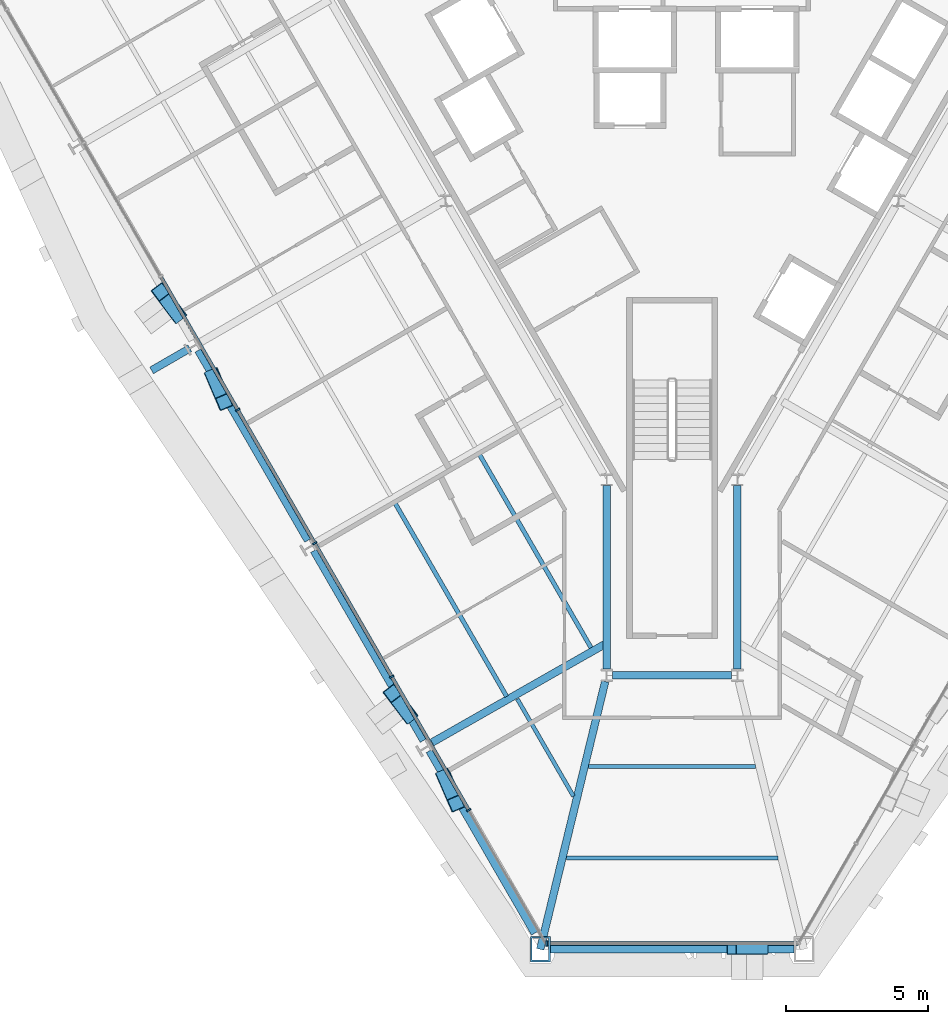
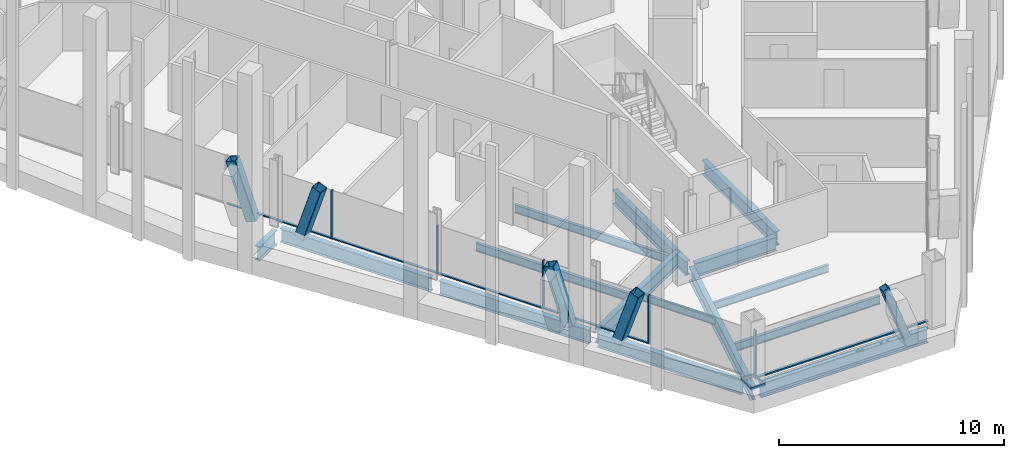
# One storey, part 3 of 19: 16 members, 15 beams, 2 elements without a shape of their own.
"""IFC4 building model written with IfcOpenShell, lengths in metres."""

from ifc_helpers import new_model, si_unit, direction, frame, origin, origin_2d, place, context, subcontext, project, spatial, rectangle, hollow_rectangle, i_section, extrude, material, material_profile, profile_set, type_object, element, aggregate, save


model = new_model("IFC4")

# Units and contexts
model_context = context("Model", 3, precision=1e-05, world=origin(), true_north=direction((0.0, 1.0)))
body_context = subcontext(model_context, "Body", "Model", "MODEL_VIEW")
ifc_project = project(units=[si_unit("LENGTHUNIT", "METRE"), si_unit("AREAUNIT", "SQUARE_METRE"), si_unit("VOLUMEUNIT", "CUBIC_METRE"), si_unit("PLANEANGLEUNIT", "RADIAN"), si_unit("MASSUNIT", "GRAM", prefix="KILO")], contexts=[model_context])

# Site, building, storey
site_placement = place(None, origin())
site = spatial("IfcSite", under=ifc_project, at=site_placement, CompositionType="ELEMENT")
building_placement = place(site_placement, origin())
building = spatial("IfcBuilding", under=site, at=building_placement, Name="Verrane Prism Tower", CompositionType="ELEMENT")
storey_placement = place(building_placement, frame((0.0, 0.0, 121.60009765625)))
storey = spatial("IfcBuildingStorey", under=building, at=storey_placement, Name="L29", CompositionType="ELEMENT", Elevation=121.60009765625)

# Member
ifc_material_1 = material(Name="Steel A500 Grade C", Category="steel")
ifc_material_profile_1 = material_profile(ifc_material_1, hollow_rectangle(XDim=0.355712890625, YDim=0.355712890625, WallThickness=0.0126953125, InnerFilletRadius=0.00634765625, OuterFilletRadius=0.01904296875, at=origin_2d()), Name="HSS14x14x1/2")
ifc_profile_set_1 = profile_set([ifc_material_profile_1], Name="Steel A500 Grade C")
member_type_1 = type_object("IfcMemberType", Name="Chamfer brace HSS14x14x1/2", PredefinedType="BRACE", material=ifc_profile_set_1)
member_1_placement = place(storey_placement, frame((3.204345703125, -30.93994140625, -0.2451171875), z_axis=(-0.345599293195, 0.0, 0.938382186821), x_axis=(0.0, -1.0, 0.0)))
element("IfcMember", 1, at=member_1_placement, inside=storey, type_object=member_type_1, Name="Chamfer brace S0 L29", PredefinedType="BRACE", context=body_context, shape_type="SweptSolid", body=[
    extrude(hollow_rectangle(XDim=0.355712890625, YDim=0.355712890625, WallThickness=0.0126953125, InnerFilletRadius=0.00634765625, OuterFilletRadius=0.01904296875, at=origin_2d()), origin(), (0.0, 0.0, 1.0), 3.2001953125),
])

# Beams
ifc_material_2 = material(Name="Steel A992", Category="steel")
ifc_material_profile_2 = material_profile(ifc_material_2, i_section(OverallWidth=0.2666015625, OverallDepth=0.76708984375, WebThickness=0.014892578125, FlangeThickness=0.023681640625, FilletRadius=0.0166015625, at=origin_2d()), Name="W30x124")
ifc_profile_set_2 = profile_set([ifc_material_profile_2], Name="Steel A992")
beam_type_1 = type_object("IfcBeamType", Name="Chamfer spandrel beam W30x124", PredefinedType="SPANDREL", material=ifc_profile_set_2)
beam_1_placement = place(storey_placement, frame((-4.2900390625, -30.93994140625, -0.543701171875), z_axis=(1.0, 0.0, 0.0), x_axis=(0.0, 1.0, 0.0)))
element("IfcBeam", 2, at=beam_1_placement, inside=storey, type_object=beam_type_1, Name="Chamfer spandrel beam L29", PredefinedType="SPANDREL", context=body_context, shape_type="SweptSolid", body=[
    extrude(i_section(OverallWidth=0.2666015625, OverallDepth=0.76708984375, WebThickness=0.014892578125, FlangeThickness=0.023681640625, FilletRadius=0.0166015625, at=origin_2d()), origin(), (0.0, 0.0, 1.0), 8.580078125),
])
ifc_material_3 = material(Name="Steel A992", Category="steel")
ifc_material_profile_3 = material_profile(ifc_material_3, i_section(OverallWidth=0.2666015625, OverallDepth=0.7568359375, WebThickness=0.013916015625, FlangeThickness=0.019287109375, FilletRadius=0.0166015625, at=origin_2d()), Name="W30x108")
ifc_profile_set_3 = profile_set([ifc_material_profile_3], Name="Steel A992")
beam_type_2 = type_object("IfcBeamType", Name="Core ring girder W30x108", PredefinedType="BEAM", material=ifc_profile_set_3)
beam_2_placement = place(storey_placement, frame((-2.300048828125, -14.619384765625, -0.628662109375), z_axis=(0.0, -1.0, 0.0), x_axis=(1.0, 0.0, 0.0)))
element("IfcBeam", 3, at=beam_2_placement, inside=storey, type_object=beam_type_2, Name="Core ring girder L29", PredefinedType="BEAM", context=body_context, shape_type="SweptSolid", body=[
    extrude(i_section(OverallWidth=0.2666015625, OverallDepth=0.7568359375, WebThickness=0.013916015625, FlangeThickness=0.019287109375, FilletRadius=0.0166015625, at=origin_2d()), origin(), (0.0, 0.0, 1.0), 6.46337890625),
])
beam_3_placement = place(storey_placement, frame((-2.09423828125, -21.300048828125, -0.628662109375), z_axis=(1.0, 0.0, 0.0), x_axis=(0.0, 1.0, 0.0)))
element("IfcBeam", 4, at=beam_3_placement, inside=storey, type_object=beam_type_2, Name="Core ring girder L29", PredefinedType="BEAM", context=body_context, shape_type="SweptSolid", body=[
    extrude(i_section(OverallWidth=0.2666015625, OverallDepth=0.7568359375, WebThickness=0.013916015625, FlangeThickness=0.019287109375, FilletRadius=0.0166015625, at=origin_2d()), origin(), (0.0, 0.0, 1.0), 4.1884765625),
])
beam_4_placement = place(storey_placement, frame((2.300048828125, -21.082763671875, -0.628662109375), z_axis=(0.0, 1.0, 0.0), x_axis=(-1.0, 0.0, 0.0)))
element("IfcBeam", 5, at=beam_4_placement, inside=storey, type_object=beam_type_2, Name="Core ring girder L29", PredefinedType="BEAM", context=body_context, shape_type="SweptSolid", body=[
    extrude(i_section(OverallWidth=0.2666015625, OverallDepth=0.7568359375, WebThickness=0.013916015625, FlangeThickness=0.019287109375, FilletRadius=0.0166015625, at=origin_2d()), origin(), (0.0, 0.0, 1.0), 6.46337890625),
])
ifc_material_4 = material(Name="Steel A992", Category="steel")
ifc_material_profile_4 = material_profile(ifc_material_4, i_section(OverallWidth=0.2666015625, OverallDepth=0.76708984375, WebThickness=0.014892578125, FlangeThickness=0.023681640625, FilletRadius=0.0166015625, at=origin_2d()), Name="W30x124")
ifc_profile_set_4 = profile_set([ifc_material_profile_4], Name="Steel A992")
beam_type_3 = type_object("IfcBeamType", Name="Corner girder W30x124", PredefinedType="BEAM", material=ifc_profile_set_4)
beam_5_placement = place(storey_placement, frame((-4.639404296875, -30.93798828125, -0.603515625), z_axis=(0.235869588092, 0.971784717627, 0.0), x_axis=(-0.971784717627, 0.235869588092, 0.0)))
element("IfcBeam", 6, at=beam_5_placement, inside=storey, type_object=beam_type_3, Name="Corner girder L29", PredefinedType="BEAM", context=body_context, shape_type="SweptSolid", body=[
    extrude(i_section(OverallWidth=0.2666015625, OverallDepth=0.76708984375, WebThickness=0.014892578125, FlangeThickness=0.023681640625, FilletRadius=0.0166015625, at=origin_2d()), origin(), (0.0, 0.0, 1.0), 9.6943359375),
])

# Members
ifc_material_5 = material(Name="Steel A1085 Grade A", Category="steel")
ifc_material_profile_5 = material_profile(ifc_material_5, hollow_rectangle(XDim=0.508056640625, YDim=0.508056640625, WallThickness=0.025390625, InnerFilletRadius=0.0126953125, OuterFilletRadius=0.0380859375, at=origin_2d()), Name="HSS20x20x1")
ifc_profile_set_5 = profile_set([ifc_material_profile_5], Name="Steel A1085 Grade A")
member_type_2 = type_object("IfcMemberType", Name="Facade brace HSS20x20x1", PredefinedType="BRACE", material=ifc_profile_set_5)
member_2_placement = place(storey_placement, frame((-17.406005859375, -8.591796875, -0.24267578125), z_axis=(-0.186990741959, 0.248318151141, 0.950459130229), x_axis=(-0.798837097845, -0.601547413848, 0.0)))
element("IfcMember", 7, at=member_2_placement, inside=storey, type_object=member_type_2, Name="Facade brace SW2 L29", PredefinedType="BRACE", context=body_context, shape_type="SweptSolid", body=[
    extrude(hollow_rectangle(XDim=0.508056640625, YDim=0.508056640625, WallThickness=0.025390625, InnerFilletRadius=0.0126953125, OuterFilletRadius=0.0380859375, at=origin_2d()), origin(), (0.0, 0.0, 1.0), 3.164794921875),
])
member_3_placement = place(storey_placement, frame((-16.1474609375, -10.77099609375, -0.24267578125), z_axis=(0.121723165079, -0.28618057189, 0.950412621631), x_axis=(0.920219270663, 0.391403236956, 0.0)))
element("IfcMember", 8, at=member_3_placement, inside=storey, type_object=member_type_2, Name="Facade brace SW3 L29", PredefinedType="BRACE", context=body_context, shape_type="SweptSolid", body=[
    extrude(hollow_rectangle(XDim=0.508056640625, YDim=0.508056640625, WallThickness=0.025390625, InnerFilletRadius=0.0126953125, OuterFilletRadius=0.0380859375, at=origin_2d()), origin(), (0.0, 0.0, 1.0), 3.1650390625),
])
member_4_placement = place(storey_placement, frame((-9.267578125, -22.685791015625, -0.24267578125), z_axis=(-0.181411235716, 0.238784571467, 0.953976882312), x_axis=(-0.796266663934, -0.604945782619, 0.0)))
element("IfcMember", 9, at=member_4_placement, inside=storey, type_object=member_type_2, Name="Facade brace SW4 L29", PredefinedType="BRACE", context=body_context, shape_type="SweptSolid", body=[
    extrude(hollow_rectangle(XDim=0.508056640625, YDim=0.508056640625, WallThickness=0.025390625, InnerFilletRadius=0.0126953125, OuterFilletRadius=0.0380859375, at=origin_2d()), origin(), (0.0, 0.0, 1.0), 3.153076171875),
])
member_5_placement = place(storey_placement, frame((-8.00927734375, -24.865234375, -0.24267578125), z_axis=(0.127491735724, -0.295328957437, 0.946850919745), x_axis=(0.918103847095, 0.396339912134, 0.0)))
element("IfcMember", 10, at=member_5_placement, inside=storey, type_object=member_type_2, Name="Facade brace SW5 L29", PredefinedType="BRACE", context=body_context, shape_type="SweptSolid", body=[
    extrude(hollow_rectangle(XDim=0.508056640625, YDim=0.508056640625, WallThickness=0.025390625, InnerFilletRadius=0.0126953125, OuterFilletRadius=0.0380859375, at=origin_2d()), origin(), (0.0, 0.0, 1.0), 3.177001953125),
])

# Beams
ifc_material_6 = material(Name="Steel A992", Category="steel")
ifc_material_profile_6 = material_profile(ifc_material_6, i_section(OverallWidth=0.140380859375, OverallDepth=0.40380859375, WebThickness=0.007080078125, FlangeThickness=0.01123046875, FilletRadius=0.01025390625, at=origin_2d()), Name="W16x31")
ifc_profile_set_6 = profile_set([ifc_material_profile_6], Name="Steel A992")
beam_type_4 = type_object("IfcBeamType", Name="Floor beam W16x31", PredefinedType="BEAM", material=ifc_profile_set_6)
beam_6_placement = place(storey_placement, frame((-3.46923828125, -25.55126953125, -0.362060546875), z_axis=(-0.499995367196, 0.866028078518, 0.0), x_axis=(-0.866028078518, -0.499995367196, 0.0)))
element("IfcBeam", 11, at=beam_6_placement, inside=storey, type_object=beam_type_4, Name="Floor beam L29", PredefinedType="BEAM", context=body_context, shape_type="SweptSolid", body=[
    extrude(i_section(OverallWidth=0.140380859375, OverallDepth=0.40380859375, WebThickness=0.007080078125, FlangeThickness=0.01123046875, FilletRadius=0.01025390625, at=origin_2d()), origin(), (0.0, 0.0, 1.0), 3.94921875),
])
beam_7_placement = place(storey_placement, frame((-2.942626953125, -24.51318359375, -0.362060546875), z_axis=(1.0, 0.0, 0.0), x_axis=(0.0, 1.0, 0.0)))
element("IfcBeam", 12, at=beam_7_placement, inside=storey, type_object=beam_type_4, Name="Floor beam L29", PredefinedType="BEAM", context=body_context, shape_type="SweptSolid", body=[
    extrude(i_section(OverallWidth=0.140380859375, OverallDepth=0.40380859375, WebThickness=0.007080078125, FlangeThickness=0.01123046875, FilletRadius=0.01025390625, at=origin_2d()), origin(), (0.0, 0.0, 1.0), 5.88525390625),
])
ifc_material_7 = material(Name="Steel A992", Category="steel")
ifc_material_profile_7 = material_profile(ifc_material_7, i_section(OverallWidth=0.15234375, OverallDepth=0.449462890625, WebThickness=0.007568359375, FlangeThickness=0.0107421875, FilletRadius=0.01025390625, at=origin_2d()), Name="W18x35")
ifc_profile_set_7 = profile_set([ifc_material_profile_7], Name="Steel A992")
beam_type_5 = type_object("IfcBeamType", Name="Floor beam W18x35", PredefinedType="BEAM", material=ifc_profile_set_7)
beam_8_placement = place(storey_placement, frame((-2.85107421875, -20.32421875, -0.385009765625), z_axis=(-0.499996836462, 0.866027230246, 0.0), x_axis=(-0.866027230246, -0.499996836462, 0.0)))
element("IfcBeam", 13, at=beam_8_placement, inside=storey, type_object=beam_type_5, Name="Floor beam L29", PredefinedType="BEAM", context=body_context, shape_type="SweptSolid", body=[
    extrude(i_section(OverallWidth=0.15234375, OverallDepth=0.449462890625, WebThickness=0.007568359375, FlangeThickness=0.0107421875, FilletRadius=0.01025390625, at=origin_2d()), origin(), (0.0, 0.0, 1.0), 7.8818359375),
])
beam_9_placement = place(storey_placement, frame((-5.8203125, -22.040283203125, -0.385009765625), z_axis=(-0.500002097505, 0.866024192786, 0.0), x_axis=(-0.866024192786, -0.500002097505, 0.0)))
element("IfcBeam", 14, at=beam_9_placement, inside=storey, type_object=beam_type_5, Name="Floor beam L29", PredefinedType="BEAM", context=body_context, shape_type="SweptSolid", body=[
    extrude(i_section(OverallWidth=0.15234375, OverallDepth=0.449462890625, WebThickness=0.007568359375, FlangeThickness=0.0107421875, FilletRadius=0.01025390625, at=origin_2d()), origin(), (0.0, 0.0, 1.0), 7.884765625),
])
beam_10_placement = place(storey_placement, frame((-3.72265625, -27.726806640625, -0.385009765625), z_axis=(1.0, 0.0, 0.0), x_axis=(0.0, 1.0, 0.0)))
element("IfcBeam", 15, at=beam_10_placement, inside=storey, type_object=beam_type_5, Name="Floor beam L29", PredefinedType="BEAM", context=body_context, shape_type="SweptSolid", body=[
    extrude(i_section(OverallWidth=0.15234375, OverallDepth=0.449462890625, WebThickness=0.007568359375, FlangeThickness=0.0107421875, FilletRadius=0.01025390625, at=origin_2d()), origin(), (0.0, 0.0, 1.0), 7.4453125),
])

# Member
ifc_material_8 = material(Name="Steel A572 Grade 50", Category="steel")
ifc_material_profile_8 = material_profile(ifc_material_8, hollow_rectangle(XDim=0.699951171875, YDim=0.89990234375, WallThickness=0.06494140625, at=origin_2d()), Name="BOX 900x700x65")
ifc_profile_set_8 = profile_set([ifc_material_profile_8], Name="Steel A572 Grade 50")
member_type_3 = type_object("IfcMemberType", Name="Kink node BOX 900x700x65", PredefinedType="COLLAR", material=ifc_profile_set_8)
member_6_placement = place(storey_placement, frame((-4.6357421875, -30.9326171875, -0.0751953125), z_axis=(0.0, 0.0, 1.0), x_axis=(-1.0, 0.0, 0.0)))
element("IfcMember", 16, at=member_6_placement, inside=storey, type_object=member_type_3, Name="Kink node MC3 L29", PredefinedType="COLLAR", context=body_context, shape_type="SweptSolid", body=[
    extrude(hollow_rectangle(XDim=0.699951171875, YDim=0.89990234375, WallThickness=0.06494140625, at=origin_2d()), origin(), (0.0, 0.0, 1.0), 0.150146484375),
])

# Curtain wall, members
ifc_material_9 = material(Name="Aluminium framed insulated glazing", Category="aluminium")
curtain_wall_type_1 = type_object("IfcCurtainWallType", Name="Curtain wall CW-B 5600 module", PredefinedType="NOTDEFINED", material=ifc_material_9)
curtain_wall_1_placement = place(storey_placement, origin())
curtain_wall_1 = element("IfcCurtainWall", 17, at=curtain_wall_1_placement, inside=storey, type_object=curtain_wall_type_1, Name="Glazed curtain wall south-west face L29", PredefinedType="NOTDEFINED")
ifc_material_10 = material(Name="Aluminium alloy 6063-T6", Category="aluminium")
ifc_material_profile_9 = material_profile(ifc_material_10, rectangle(XDim=0.159912109375, YDim=0.06005859375, at=origin_2d()), Name="Mullion 60x160 aluminium")
ifc_profile_set_9 = profile_set([ifc_material_profile_9], Name="Aluminium alloy 6063-T6")
member_type_4 = type_object("IfcMemberType", Name="Mullion 60x160 aluminium", PredefinedType="MULLION", material=ifc_profile_set_9)
member_7_placement = place(storey_placement, frame((-15.28173828125, -11.953369140625, 0.0), z_axis=(0.0, 0.0, 1.0), x_axis=(0.866025327793, 0.500000131621, 0.0)))
member_7 = element("IfcMember", 18, at=member_7_placement, type_object=member_type_4, Name="CW29.4 mullion 6", PredefinedType="MULLION", context=body_context, shape_type="SweptSolid", body=[
    extrude(rectangle(XDim=0.159912109375, YDim=0.06005859375, at=origin_2d()), origin(), (0.0, 0.0, 1.0), 2.61279296875),
])
member_8_placement = place(storey_placement, frame((-12.57080078125, -16.648681640625, 0.0), z_axis=(0.0, 0.0, 1.0), x_axis=(0.866025327793, 0.500000131621, 0.0)))
member_8 = element("IfcMember", 19, at=member_8_placement, type_object=member_type_4, Name="CW29.4 mullion 7", PredefinedType="MULLION", context=body_context, shape_type="SweptSolid", body=[
    extrude(rectangle(XDim=0.159912109375, YDim=0.06005859375, at=origin_2d()), origin(), (0.0, 0.0, 1.0), 2.61279296875),
])
member_9_placement = place(storey_placement, frame((-9.85986328125, -21.34423828125, 0.0), z_axis=(0.0, 0.0, 1.0), x_axis=(0.866025327793, 0.500000131621, 0.0)))
member_9 = element("IfcMember", 20, at=member_9_placement, type_object=member_type_4, Name="CW29.4 mullion 8", PredefinedType="MULLION", context=body_context, shape_type="SweptSolid", body=[
    extrude(rectangle(XDim=0.159912109375, YDim=0.06005859375, at=origin_2d()), origin(), (0.0, 0.0, 1.0), 2.61279296875),
])
member_10_placement = place(storey_placement, frame((-7.14892578125, -26.039794921875, 0.0), z_axis=(0.0, 0.0, 1.0), x_axis=(0.866025327793, 0.500000131621, 0.0)))
member_10 = element("IfcMember", 21, at=member_10_placement, type_object=member_type_4, Name="CW29.4 mullion 9", PredefinedType="MULLION", context=body_context, shape_type="SweptSolid", body=[
    extrude(rectangle(XDim=0.159912109375, YDim=0.06005859375, at=origin_2d()), origin(), (0.0, 0.0, 1.0), 2.61279296875),
])

# Curtain wall, member
ifc_material_11 = material(Name="Aluminium framed insulated glazing", Category="aluminium")
curtain_wall_type_2 = type_object("IfcCurtainWallType", Name="Curtain wall CW-A 8400 module", PredefinedType="NOTDEFINED", material=ifc_material_11)
curtain_wall_2_placement = place(storey_placement, origin())
curtain_wall_2 = element("IfcCurtainWall", 22, at=curtain_wall_2_placement, inside=storey, type_object=curtain_wall_type_2, Name="Glazed curtain wall south corner L29", PredefinedType="NOTDEFINED")
ifc_material_12 = material(Name="Aluminium alloy 6063-T6", Category="aluminium")
ifc_material_profile_10 = material_profile(ifc_material_12, rectangle(XDim=0.199951171875, YDim=0.070068359375, at=origin_2d()), Name="Mullion 70x200 aluminium")
ifc_profile_set_10 = profile_set([ifc_material_profile_10], Name="Aluminium alloy 6063-T6")
member_type_5 = type_object("IfcMemberType", Name="Mullion 70x200 aluminium", PredefinedType="MULLION", material=ifc_profile_set_10)
member_11_placement = place(storey_placement, frame((-4.40283203125, -30.7353515625, 0.0), z_axis=(0.0, 0.0, 1.0), x_axis=(0.0, 1.0, 0.0)))
member_11 = element("IfcMember", 23, at=member_11_placement, type_object=member_type_5, Name="CW29.5 mullion 1", PredefinedType="MULLION", context=body_context, shape_type="SweptSolid", body=[
    extrude(rectangle(XDim=0.199951171875, YDim=0.070068359375, at=origin_2d()), origin(), (0.0, 0.0, 1.0), 2.61279296875),
])

# Beams
ifc_material_13 = material(Name="Steel A992", Category="steel")
ifc_material_profile_11 = material_profile(ifc_material_13, i_section(OverallWidth=0.2666015625, OverallDepth=0.76708984375, WebThickness=0.014892578125, FlangeThickness=0.023681640625, FilletRadius=0.0166015625, at=origin_2d()), Name="W30x124")
ifc_profile_set_11 = profile_set([ifc_material_profile_11], Name="Steel A992")
beam_type_6 = type_object("IfcBeamType", Name="Radial girder W30x124", PredefinedType="BEAM", material=ifc_profile_set_11)
beam_11_placement = place(storey_placement, frame((-8.44287109375, -23.6591796875, -0.603515625), z_axis=(0.869115447112, 0.494609279726, 0.0), x_axis=(-0.494609279726, 0.869115447112, 0.0)))
element("IfcBeam", 24, at=beam_11_placement, inside=storey, type_object=beam_type_6, Name="Radial girder L29", PredefinedType="BEAM", context=body_context, shape_type="SweptSolid", body=[
    extrude(i_section(OverallWidth=0.2666015625, OverallDepth=0.76708984375, WebThickness=0.014892578125, FlangeThickness=0.023681640625, FilletRadius=0.0166015625, at=origin_2d()), origin(), (0.0, 0.0, 1.0), 7.06787109375),
])
beam_12_placement = place(storey_placement, frame((-16.97021484375, -9.7919921875, -0.603515625), z_axis=(-0.866007408613, -0.500031167255, 0.0), x_axis=(0.500031167255, -0.866007408613, 0.0)))
element("IfcBeam", 25, at=beam_12_placement, inside=storey, type_object=beam_type_6, Name="Cantilever girder L29", PredefinedType="BEAM", context=body_context, shape_type="SweptSolid", body=[
    extrude(i_section(OverallWidth=0.2666015625, OverallDepth=0.76708984375, WebThickness=0.014892578125, FlangeThickness=0.023681640625, FilletRadius=0.0166015625, at=origin_2d()), origin(), (0.0, 0.0, 1.0), 1.5517578125),
])
ifc_material_14 = material(Name="Steel A992", Category="steel")
ifc_material_profile_12 = material_profile(ifc_material_14, i_section(OverallWidth=0.2666015625, OverallDepth=0.7568359375, WebThickness=0.013916015625, FlangeThickness=0.019287109375, FilletRadius=0.0166015625, at=origin_2d()), Name="W30x108")
ifc_profile_set_12 = profile_set([ifc_material_profile_12], Name="Steel A992")
beam_type_7 = type_object("IfcBeamType", Name="Spandrel beam W30x108", PredefinedType="SPANDREL", material=ifc_profile_set_12)
beam_13_placement = place(storey_placement, frame((-16.671875, -9.8623046875, -0.53857421875), z_axis=(0.499822833749, -0.866127666607, 0.0), x_axis=(0.866127666607, 0.499822833749, 0.0)))
element("IfcBeam", 26, at=beam_13_placement, inside=storey, type_object=beam_type_7, Name="Spandrel beam L29", PredefinedType="SPANDREL", context=body_context, shape_type="SweptSolid", body=[
    extrude(i_section(OverallWidth=0.2666015625, OverallDepth=0.7568359375, WebThickness=0.013916015625, FlangeThickness=0.019287109375, FilletRadius=0.0166015625, at=origin_2d()), origin(), (0.0, 0.0, 1.0), 7.719970703125),
])
beam_14_placement = place(storey_placement, frame((-12.603759765625, -16.911865234375, -0.53857421875), z_axis=(0.50028867257, -0.865858674437, 0.0), x_axis=(0.865858674437, 0.50028867257, 0.0)))
element("IfcBeam", 27, at=beam_14_placement, inside=storey, type_object=beam_type_7, Name="Spandrel beam L29", PredefinedType="SPANDREL", context=body_context, shape_type="SweptSolid", body=[
    extrude(i_section(OverallWidth=0.2666015625, OverallDepth=0.7568359375, WebThickness=0.013916015625, FlangeThickness=0.019287109375, FilletRadius=0.0166015625, at=origin_2d()), origin(), (0.0, 0.0, 1.0), 7.712890625),
])
beam_15_placement = place(storey_placement, frame((-8.53564453125, -23.953125, -0.53857421875), z_axis=(0.499827980255, -0.866124696654, 0.0), x_axis=(0.866124696654, 0.499827980255, 0.0)))
element("IfcBeam", 28, at=beam_15_placement, inside=storey, type_object=beam_type_7, Name="Spandrel beam L29", PredefinedType="SPANDREL", context=body_context, shape_type="SweptSolid", body=[
    extrude(i_section(OverallWidth=0.2666015625, OverallDepth=0.7568359375, WebThickness=0.013916015625, FlangeThickness=0.019287109375, FilletRadius=0.0166015625, at=origin_2d()), origin(), (0.0, 0.0, 1.0), 7.41015625),
])

# Member
ifc_material_15 = material(Name="Aluminium alloy 6063-T6", Category="aluminium")
ifc_material_profile_13 = material_profile(ifc_material_15, rectangle(XDim=0.1201171875, YDim=0.06005859375, at=origin_2d()), Name="Transom 60x120 aluminium")
ifc_profile_set_13 = profile_set([ifc_material_profile_13], Name="Aluminium alloy 6063-T6")
member_type_6 = type_object("IfcMemberType", Name="Transom 60x120 aluminium", PredefinedType="USERDEFINED", material=ifc_profile_set_13)
member_12_placement = place(storey_placement, frame((-17.977783203125, -7.28369140625, 0.02978515625), z_axis=(0.500027246275, -0.866009672569, 0.0), x_axis=(0.866009672569, 0.500027246275, 0.0)))
member_12 = element("IfcMember", 29, at=member_12_placement, type_object=member_type_6, Name="CW29.4 transom 5", ObjectType="TRANSOM", PredefinedType="USERDEFINED", context=body_context, shape_type="SweptSolid", body=[
    extrude(rectangle(XDim=0.1201171875, YDim=0.06005859375, at=origin_2d()), origin(), (0.0, 0.0, 1.0), 5.362060546875),
])

member_13_placement = place(storey_placement, frame((-15.2666015625, -11.979248046875, 0.02978515625), z_axis=(0.499993097703, -0.866029388791, 0.0), x_axis=(0.866029388791, 0.499993097703, 0.0)))
member_13 = element("IfcMember", 30, at=member_13_placement, type_object=member_type_6, Name="CW29.4 transom 6", ObjectType="TRANSOM", PredefinedType="USERDEFINED", context=body_context, shape_type="SweptSolid", body=[
    extrude(rectangle(XDim=0.1201171875, YDim=0.06005859375, at=origin_2d()), origin(), (0.0, 0.0, 1.0), 5.36181640625),
])

member_14_placement = place(storey_placement, frame((-12.5556640625, -16.6748046875, 0.02978515625), z_axis=(0.499993097703, -0.866029388791, 0.0), x_axis=(0.866029388791, 0.499993097703, 0.0)))
member_14 = element("IfcMember", 31, at=member_14_placement, type_object=member_type_6, Name="CW29.4 transom 7", ObjectType="TRANSOM", PredefinedType="USERDEFINED", context=body_context, shape_type="SweptSolid", body=[
    extrude(rectangle(XDim=0.1201171875, YDim=0.06005859375, at=origin_2d()), origin(), (0.0, 0.0, 1.0), 5.36181640625),
])

member_15_placement = place(storey_placement, frame((-9.8447265625, -21.370361328125, 0.02978515625), z_axis=(0.499993097703, -0.866029388791, 0.0), x_axis=(0.866029388791, 0.499993097703, 0.0)))
member_15 = element("IfcMember", 32, at=member_15_placement, type_object=member_type_6, Name="CW29.4 transom 8", ObjectType="TRANSOM", PredefinedType="USERDEFINED", context=body_context, shape_type="SweptSolid", body=[
    extrude(rectangle(XDim=0.1201171875, YDim=0.06005859375, at=origin_2d()), origin(), (0.0, 0.0, 1.0), 5.36181640625),
])

aggregate(curtain_wall_1, [member_7, member_8, member_9, member_10, member_12, member_13, member_14, member_15])

ifc_material_16 = material(Name="Aluminium alloy 6063-T6", Category="aluminium")
ifc_material_profile_14 = material_profile(ifc_material_16, rectangle(XDim=0.14990234375, YDim=0.070068359375, at=origin_2d()), Name="Transom 70x150 aluminium")
ifc_profile_set_14 = profile_set([ifc_material_profile_14], Name="Aluminium alloy 6063-T6")
member_type_7 = type_object("IfcMemberType", Name="Transom 70x150 aluminium", PredefinedType="USERDEFINED", material=ifc_profile_set_14)
member_16_placement = place(storey_placement, frame((-4.367919921875, -30.7353515625, 0.034912109375), z_axis=(1.0, 0.0, 0.0), x_axis=(0.0, 1.0, 0.0)))
member_16 = element("IfcMember", 33, at=member_16_placement, type_object=member_type_7, Name="CW29.5 transom 1", ObjectType="TRANSOM", PredefinedType="USERDEFINED", context=body_context, shape_type="SweptSolid", body=[
    extrude(rectangle(XDim=0.14990234375, YDim=0.070068359375, at=origin_2d()), origin(), (0.0, 0.0, 1.0), 8.805908203125),
])

aggregate(curtain_wall_2, [member_11, member_16])

save(model, "model.ifc")
